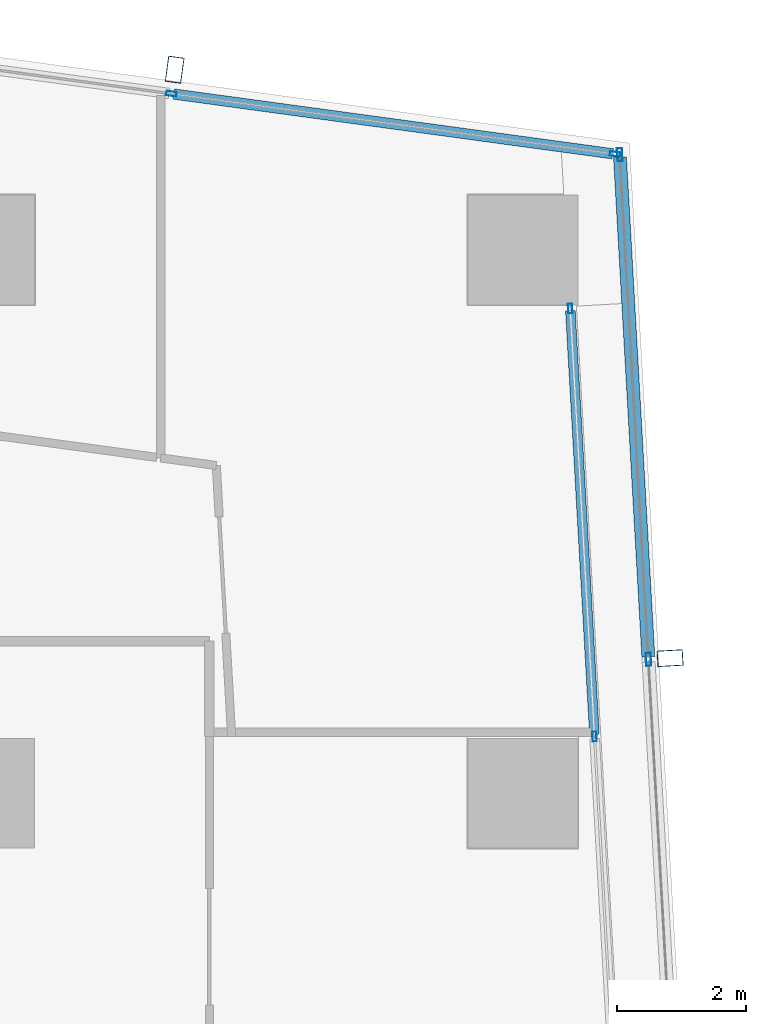
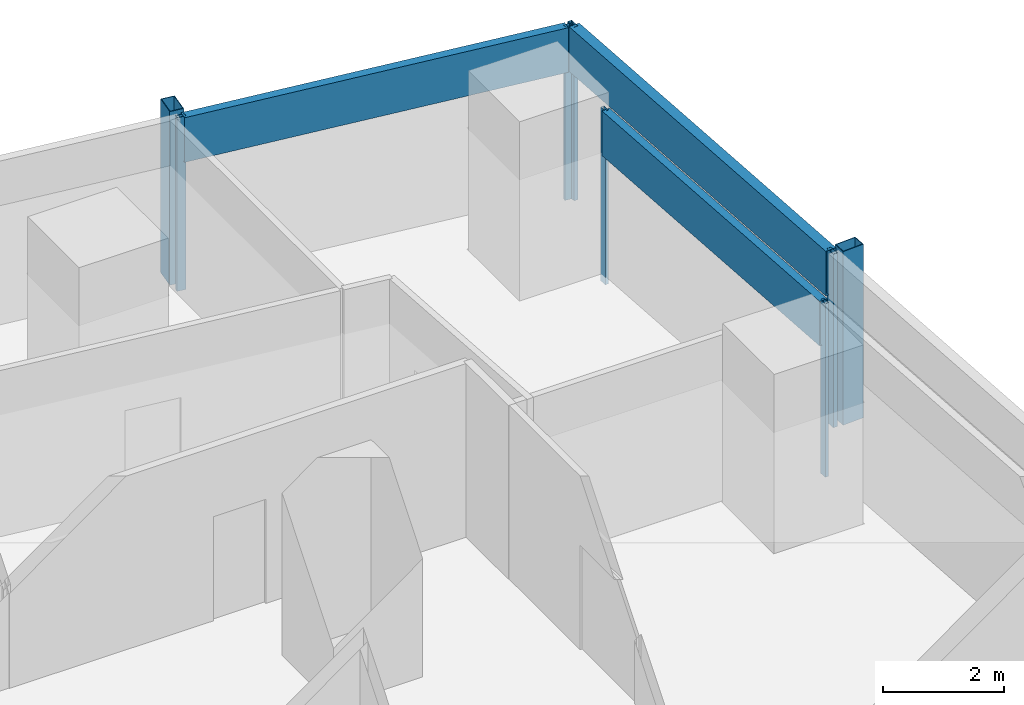
# One storey, part 21 of 34: 11 members, 3 elements without a shape of their own.
"""IFC4 building model written with IfcOpenShell, lengths in metres."""

from ifc_helpers import new_model, si_unit, direction, frame, origin, origin_2d, place, context, subcontext, project, spatial, hollow_rectangle, extrude, material, material_profile, profile_set, type_object, element, aggregate, save


model = new_model("IFC4")

# Units and contexts
model_context = context("Model", 3, precision=1e-05, world=origin(), true_north=direction((0.0, 1.0)))
body_context = subcontext(model_context, "Body", "Model", "MODEL_VIEW")
ifc_project = project(units=[si_unit("LENGTHUNIT", "METRE"), si_unit("AREAUNIT", "SQUARE_METRE"), si_unit("VOLUMEUNIT", "CUBIC_METRE"), si_unit("PLANEANGLEUNIT", "RADIAN"), si_unit("MASSUNIT", "GRAM", prefix="KILO")], contexts=[model_context])

# Site, building, storey
site_placement = place(None, origin())
site = spatial("IfcSite", under=ifc_project, at=site_placement, CompositionType="ELEMENT")
building_placement = place(site_placement, origin())
building = spatial("IfcBuilding", under=site, at=building_placement, Name="Rekha Terrace Tower", CompositionType="ELEMENT")
storey_placement = place(building_placement, frame((0.0, 0.0, 176.449951171875)))
storey = spatial("IfcBuildingStorey", under=building, at=storey_placement, Name="L44", CompositionType="ELEMENT", Elevation=176.449951171875)

# Curtain wall, member
ifc_material_1 = material(Name="Aluminium framing", Category="aluminium")
curtain_wall_type_1 = type_object("IfcCurtainWallType", Name="CW2 double skin outer glazing", PredefinedType="USERDEFINED", material=ifc_material_1)
curtain_wall_1_placement = place(storey_placement, origin())
curtain_wall_1 = element("IfcCurtainWall", 1, at=curtain_wall_1_placement, inside=storey, type_object=curtain_wall_type_1, Name="CW2 double skin outer glazing", ObjectType="DOUBLE SKIN OUTER GLAZING", PredefinedType="USERDEFINED")
ifc_material_2 = material(Name="Steel S355 with fluorocarbon finish", Category="steel")
ifc_material_profile_1 = material_profile(ifc_material_2, hollow_rectangle(XDim=0.25, YDim=0.39990234375, WallThickness=0.012451171875, at=origin_2d()), Name="RHS400x250x12.5")
ifc_profile_set_1 = profile_set([ifc_material_profile_1], Name="Steel S355 with fluorocarbon finish")
member_type_1 = type_object("IfcMemberType", Name="BL1 facade blade RHS 400 x 250", PredefinedType="USERDEFINED", material=ifc_profile_set_1)
member_1_placement = place(storey_placement, frame((61.077392578125, 52.487548828125, 0.0), z_axis=(0.0, 0.0, 1.0), x_axis=(-0.056673619809, 0.998392758797, 0.0)))
member_1 = element("IfcMember", 2, at=member_1_placement, type_object=member_type_1, Name="Facade blade", ObjectType="FACADE BLADE", PredefinedType="USERDEFINED", context=body_context, shape_type="SweptSolid", body=[
    extrude(hollow_rectangle(XDim=0.25, YDim=0.39990234375, WallThickness=0.012451171875, at=origin_2d()), origin(), (0.0, 0.0, 1.0), 3.5),
])

curtain_wall_type_2 = type_object("IfcCurtainWallType", Name="CW3 north unitised glazing", PredefinedType="USERDEFINED", material=ifc_material_1)
curtain_wall_2_placement = place(storey_placement, origin())
curtain_wall_2 = element("IfcCurtainWall", 3, at=curtain_wall_2_placement, inside=storey, type_object=curtain_wall_type_2, Name="CW3 unitised curtain wall", ObjectType="UNITISED CURTAIN WALL", PredefinedType="USERDEFINED")
member_2_placement = place(storey_placement, frame((53.419921875, 61.583251953125, 0.0), z_axis=(0.0, 0.0, 1.0), x_axis=(-0.990867309488, 0.134840553943, 0.0)))
member_2 = element("IfcMember", 4, at=member_2_placement, type_object=member_type_1, Name="Facade blade", ObjectType="FACADE BLADE", PredefinedType="USERDEFINED", context=body_context, shape_type="SweptSolid", body=[
    extrude(hollow_rectangle(XDim=0.25, YDim=0.39990234375, WallThickness=0.012451171875, at=origin_2d()), origin(), (0.0, 0.0, 1.0), 3.5),
])

# Curtain wall, members
curtain_wall_type_3 = type_object("IfcCurtainWallType", Name="CW1 double skin inner glazing", PredefinedType="USERDEFINED", material=ifc_material_1)
curtain_wall_3_placement = place(storey_placement, origin())
curtain_wall_3 = element("IfcCurtainWall", 5, at=curtain_wall_3_placement, inside=storey, type_object=curtain_wall_type_3, Name="CW1 double skin inner glazing", ObjectType="DOUBLE SKIN INNER GLAZING", PredefinedType="USERDEFINED")
ifc_material_3 = material(Name="Aluminium mullion section", Category="aluminium")
ifc_material_profile_2 = material_profile(ifc_material_3, hollow_rectangle(XDim=0.06494140625, YDim=0.14990234375, WallThickness=0.00390625, at=origin_2d()), Name="AL RHS 65x150")
ifc_profile_set_2 = profile_set([ifc_material_profile_2], Name="Aluminium mullion section")
member_type_2 = type_object("IfcMemberType", Name="CW1 mullion RHS 65 x 150", PredefinedType="MULLION", material=ifc_profile_set_2)
member_3_placement = place(storey_placement, frame((59.908935546875, 51.2763671875, 0.0), z_axis=(0.0, 0.0, 1.0), x_axis=(-0.998392782918, -0.056673194877, 0.0)))
member_3 = element("IfcMember", 6, at=member_3_placement, type_object=member_type_2, Name="CW1 mullion 2", PredefinedType="MULLION", context=body_context, shape_type="SweptSolid", body=[
    extrude(hollow_rectangle(XDim=0.06494140625, YDim=0.14990234375, WallThickness=0.00390625, at=origin_2d()), origin(), (0.0, 0.0, 1.0), 3.5),
])
member_4_placement = place(storey_placement, frame((59.533447265625, 57.89208984375, 0.0), z_axis=(0.0, 0.0, 1.0), x_axis=(-0.998392782918, -0.056673194877, 0.0)))
member_4 = element("IfcMember", 7, at=member_4_placement, type_object=member_type_2, Name="CW1 mullion 3", PredefinedType="MULLION", context=body_context, shape_type="SweptSolid", body=[
    extrude(hollow_rectangle(XDim=0.06494140625, YDim=0.14990234375, WallThickness=0.00390625, at=origin_2d()), origin(), (0.0, 0.0, 1.0), 3.5),
])
ifc_material_4 = material(Name="Insulated aluminium spandrel box", Category="aluminium")
ifc_material_profile_3 = material_profile(ifc_material_4, hollow_rectangle(XDim=0.14990234375, YDim=0.89990234375, WallThickness=0.0029296875, at=origin_2d()), Name="AL SPANDREL BOX 150x900")
ifc_profile_set_3 = profile_set([ifc_material_profile_3], Name="Insulated aluminium spandrel box")
member_type_3 = type_object("IfcMemberType", Name="CW1 spandrel transom 150 x 900", PredefinedType="USERDEFINED", material=ifc_profile_set_3)
member_5_placement = place(storey_placement, frame((59.9072265625, 51.308837890625, 3.050048828125), z_axis=(-0.056667264973, 0.998393119508, 0.0), x_axis=(-0.998393119508, -0.056667264973, 0.0)))
member_5 = element("IfcMember", 8, at=member_5_placement, type_object=member_type_3, Name="CW1 spandrel transom 2", ObjectType="TRANSOM", PredefinedType="USERDEFINED", context=body_context, shape_type="SweptSolid", body=[
    extrude(hollow_rectangle(XDim=0.14990234375, YDim=0.89990234375, WallThickness=0.0029296875, at=origin_2d()), origin(), (0.0, 0.0, 1.0), 6.5615234375),
])
aggregate(curtain_wall_3, [member_3, member_4, member_5])

# Member
ifc_material_profile_4 = material_profile(ifc_material_3, hollow_rectangle(XDim=0.080078125, YDim=0.199951171875, WallThickness=0.00390625, at=origin_2d()), Name="AL RHS 80x200")
ifc_profile_set_4 = profile_set([ifc_material_profile_4], Name="Aluminium mullion section")
member_type_4 = type_object("IfcMemberType", Name="CW2 mullion RHS 80 x 200", PredefinedType="MULLION", material=ifc_profile_set_4)
member_6_placement = place(storey_placement, frame((60.742919921875, 52.468505859375, 0.0), z_axis=(0.0, 0.0, 1.0), x_axis=(-0.998392782919, -0.05667319486, 0.0)))
member_6 = element("IfcMember", 9, at=member_6_placement, type_object=member_type_4, Name="CW2 mullion 2", PredefinedType="MULLION", context=body_context, shape_type="SweptSolid", body=[
    extrude(hollow_rectangle(XDim=0.080078125, YDim=0.199951171875, WallThickness=0.00390625, at=origin_2d()), origin(), (0.0, 0.0, 1.0), 3.5),
])

member_7_placement = place(storey_placement, frame((60.300048828125, 60.269287109375, 0.0), z_axis=(0.0, 0.0, 1.0), x_axis=(-0.998392782919, -0.05667319486, 0.0)))
member_7 = element("IfcMember", 10, at=member_7_placement, type_object=member_type_4, Name="CW2 mullion 3", PredefinedType="MULLION", context=body_context, shape_type="SweptSolid", body=[
    extrude(hollow_rectangle(XDim=0.080078125, YDim=0.199951171875, WallThickness=0.00390625, at=origin_2d()), origin(), (0.0, 0.0, 1.0), 3.5),
])

ifc_material_profile_5 = material_profile(ifc_material_4, hollow_rectangle(XDim=0.199951171875, YDim=0.89990234375, WallThickness=0.0029296875, at=origin_2d()), Name="AL SPANDREL BOX 200x900")
ifc_profile_set_5 = profile_set([ifc_material_profile_5], Name="Insulated aluminium spandrel box")
member_type_5 = type_object("IfcMemberType", Name="CW2 spandrel transom 200 x 900", PredefinedType="USERDEFINED", material=ifc_profile_set_5)
member_8_placement = place(storey_placement, frame((60.740478515625, 52.508544921875, 3.050048828125), z_axis=(-0.056667687162, 0.998393095545, 0.0), x_axis=(-0.998393095545, -0.056667687162, 0.0)))
member_8 = element("IfcMember", 11, at=member_8_placement, type_object=member_type_5, Name="CW2 spandrel transom 2", ObjectType="TRANSOM", PredefinedType="USERDEFINED", context=body_context, shape_type="SweptSolid", body=[
    extrude(hollow_rectangle(XDim=0.199951171875, YDim=0.89990234375, WallThickness=0.0029296875, at=origin_2d()), origin(), (0.0, 0.0, 1.0), 7.7333984375),
])

aggregate(curtain_wall_1, [member_6, member_7, member_8, member_1])

ifc_material_profile_6 = material_profile(ifc_material_3, hollow_rectangle(XDim=0.070068359375, YDim=0.159912109375, WallThickness=0.00390625, at=origin_2d()), Name="AL RHS 70x160")
ifc_profile_set_6 = profile_set([ifc_material_profile_6], Name="Aluminium mullion section")
member_type_6 = type_object("IfcMemberType", Name="CW3 mullion RHS 70 x 160", PredefinedType="MULLION", material=ifc_profile_set_6)
member_9_placement = place(storey_placement, frame((60.22509765625, 60.27880859375, 0.0), z_axis=(0.0, 0.0, 1.0), x_axis=(-0.134840840416, -0.990867270504, 0.0)))
member_9 = element("IfcMember", 12, at=member_9_placement, type_object=member_type_6, Name="CW3 mullion 1", PredefinedType="MULLION", context=body_context, shape_type="SweptSolid", body=[
    extrude(hollow_rectangle(XDim=0.070068359375, YDim=0.159912109375, WallThickness=0.00390625, at=origin_2d()), origin(), (0.0, 0.0, 1.0), 3.5),
])

member_10_placement = place(storey_placement, frame((53.369384765625, 61.211669921875, 0.0), z_axis=(0.0, 0.0, 1.0), x_axis=(-0.134840840416, -0.990867270504, 0.0)))
member_10 = element("IfcMember", 13, at=member_10_placement, type_object=member_type_6, Name="CW3 mullion 2", PredefinedType="MULLION", context=body_context, shape_type="SweptSolid", body=[
    extrude(hollow_rectangle(XDim=0.070068359375, YDim=0.159912109375, WallThickness=0.00390625, at=origin_2d()), origin(), (0.0, 0.0, 1.0), 3.5),
])

ifc_material_profile_7 = material_profile(ifc_material_4, hollow_rectangle(XDim=0.159912109375, YDim=0.89990234375, WallThickness=0.0029296875, at=origin_2d()), Name="AL SPANDREL BOX 160x900")
ifc_profile_set_7 = profile_set([ifc_material_profile_7], Name="Insulated aluminium spandrel box")
member_type_7 = type_object("IfcMemberType", Name="CW3 spandrel transom 160 x 900", PredefinedType="USERDEFINED", material=ifc_profile_set_7)
member_11_placement = place(storey_placement, frame((60.190185546875, 60.283447265625, 3.050048828125), z_axis=(-0.990865276141, 0.134855495022, 0.0), x_axis=(-0.134855495022, -0.990865276141, 0.0)))
member_11 = element("IfcMember", 14, at=member_11_placement, type_object=member_type_7, Name="CW3 spandrel transom 1", ObjectType="TRANSOM", PredefinedType="USERDEFINED", context=body_context, shape_type="SweptSolid", body=[
    extrude(hollow_rectangle(XDim=0.159912109375, YDim=0.89990234375, WallThickness=0.0029296875, at=origin_2d()), origin(), (0.0, 0.0, 1.0), 6.8486328125),
])

aggregate(curtain_wall_2, [member_9, member_10, member_11, member_2])

save(model, "model.ifc")
